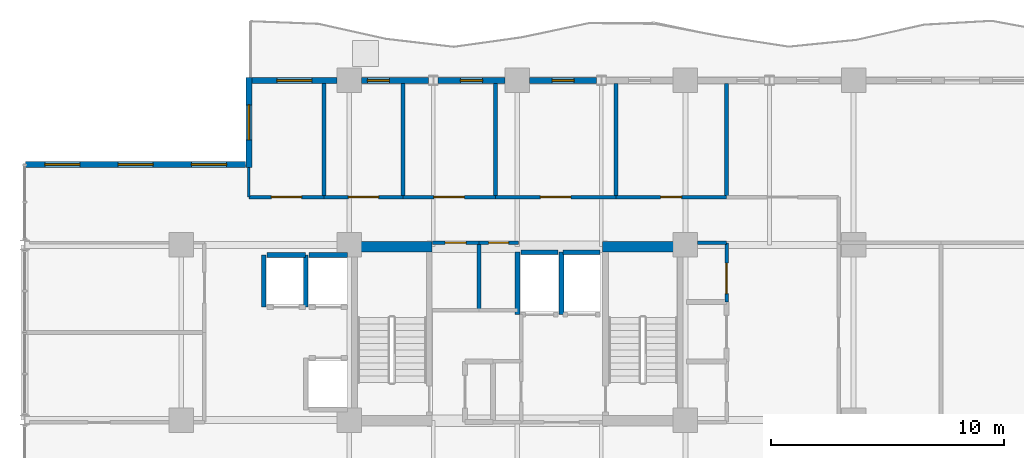
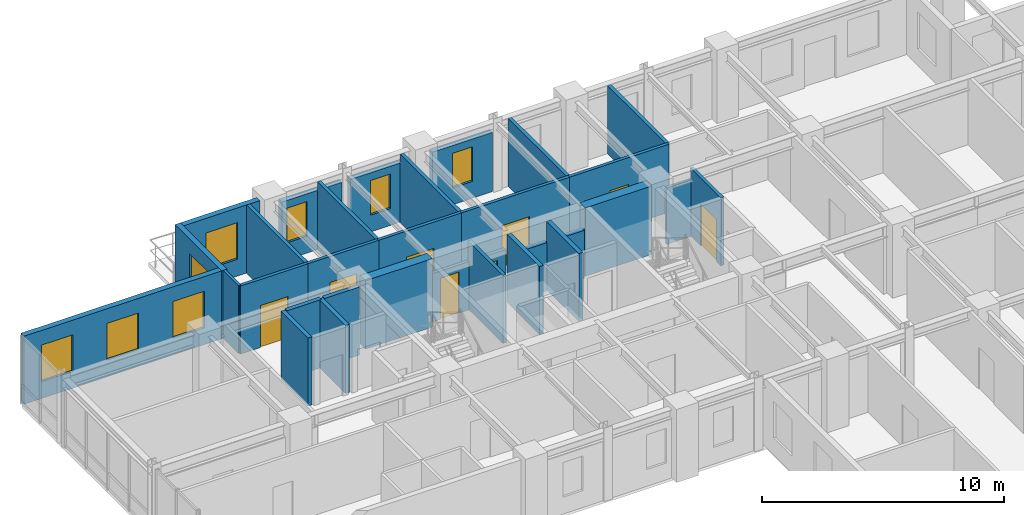
# One storey, part 13 of 18: 32 walls, 8 doors, 8 windows, 16 openings.
"""IFC4 building model written with IfcOpenShell, lengths in metres."""

from ifc_helpers import new_model, si_unit, direction, frame, frame_2d, origin, place, context, subcontext, project, spatial, rectangle, extrude, material, layer, layer_set, type_object, element, fill, save


model = new_model("IFC4")

# Units and contexts
model_context = context("Model", 3, precision=1e-05, world=origin(), true_north=direction((0.0, 1.0)))
body_context = subcontext(model_context, "Body", "Model", "MODEL_VIEW")
ifc_project = project(units=[si_unit("LENGTHUNIT", "METRE"), si_unit("AREAUNIT", "SQUARE_METRE"), si_unit("VOLUMEUNIT", "CUBIC_METRE"), si_unit("PLANEANGLEUNIT", "RADIAN"), si_unit("MASSUNIT", "GRAM", prefix="KILO")], contexts=[model_context])

# Site, building, storey
site_placement = place(None, origin())
site = spatial("IfcSite", under=ifc_project, at=site_placement, CompositionType="ELEMENT")
building_placement = place(site_placement, origin())
building = spatial("IfcBuilding", under=site, at=building_placement, Name="Kaliganga Portal Commons", CompositionType="ELEMENT")
storey_placement = place(building_placement, frame((0.0, 0.0, 169.800048828125)))
storey = spatial("IfcBuildingStorey", under=building, at=storey_placement, Name="L43", CompositionType="ELEMENT", Elevation=169.800048828125)

# Walls
ifc_material_1 = material(Name="Concrete C60/75", Category="concrete")
ifc_layer_1 = layer(ifc_material_1, 0.449951171875)
ifc_layer_set_1 = layer_set([ifc_layer_1], Name="Concrete C60/75")
wall_type_1 = type_object("IfcWallType", Name="WL-CORE-450", PredefinedType="SHEAR", material=ifc_layer_set_1)
for number, where, z_axis, x_axis, name in (
    (1, (14.75, 36.074951171875, 0.0), (0.0, 0.0, 1.0), (1.0, 0.0, 0.0), "Core A N-West Shear Wall L43"),
    (2, (25.25, 36.074951171875, 0.0), (0.0, 0.0, 1.0), (1.0, 0.0, 0.0), "Core A N-East Shear Wall L43"),
):
    element("IfcWall", number, at=place(storey_placement, frame(where, z_axis=z_axis, x_axis=x_axis)), inside=storey, type_object=wall_type_1, Name=name, PredefinedType="SHEAR", context=body_context, shape_type="SweptSolid", body=[
        extrude(rectangle(XDim=3.199951171875, YDim=0.449951171875, at=frame_2d((1.60009765625, 0.0))), origin(), (0.0, 0.0, 1.0), 3.4599609375),
    ])

# Wall, opening, window
ifc_material_2 = material(Name="Insulated Aluminium-Clad Spandrel Assembly", Category="aluminium")
ifc_layer_2 = layer(ifc_material_2, 0.260009765625)
ifc_layer_set_2 = layer_set([ifc_layer_2], Name="Insulated Aluminium-Clad Spandrel Assembly")
wall_type_2 = type_object("IfcWallType", Name="WL-EXT-SPAND-260", PredefinedType="STANDARD", material=ifc_layer_set_2)
wall_1_placement = place(storey_placement, frame((22.1259765625, 43.199951171875, 0.0), z_axis=(0.0, 0.0, 1.0), x_axis=(1.0, 0.0, 0.0)))
wall_1 = element("IfcWall", 3, at=wall_1_placement, inside=storey, type_object=wall_type_2, Name="Exterior Envelope Wall L43 P1-E06-S5", PredefinedType="STANDARD", context=body_context, shape_type="SweptSolid", body=[
    extrude(rectangle(XDim=2.87109375, YDim=0.260009765625, at=frame_2d((1.435546875, 0.0))), origin(), (0.0, 0.0, 1.0), 2.989990234375),
])
opening_1_placement = place(wall_1_placement, frame((0.96044921875, 0.0, 0.85009765625)))
opening_1 = element("IfcOpeningElement", 4, at=opening_1_placement, cuts=wall_1, Name="Opening W-04", PredefinedType="OPENING", context=body_context, shape_type="SweptSolid", body=[
    extrude(rectangle(XDim=0.949951171875, YDim=1.75, at=frame_2d((0.47509765625, 0.875))), frame((0.0, 0.14013671875, 0.0), z_axis=(0.0, -1.0, 0.0), x_axis=(1.0, 0.0, 0.0)), (0.0, 0.0, 1.0), 0.280029296875),
])
ifc_material_3 = material(Name="Thermally Broken Aluminium and Low-E Double Glazing", Category="aluminium")
window_type_1 = type_object("IfcWindowType", Name="WIN-NARROW-950", PartitioningType="SINGLE_PANEL", PredefinedType="WINDOW", material=ifc_material_3)
window_1_placement = place(opening_1_placement, origin())
window_1 = element("IfcWindow", 5, at=window_1_placement, inside=storey, type_object=window_type_1, Name="Facade Window L43-P1E06S5-00", OverallHeight=1.75, OverallWidth=0.949951171875, PartitioningType="SINGLE_PANEL", PredefinedType="WINDOW", context=body_context, shape_type="SweptSolid", body=[
    extrude(rectangle(XDim=0.949951171875, YDim=1.75, at=frame_2d((0.47509765625, 0.875))), frame((0.0, 0.030029296875, 0.0), z_axis=(0.0, -1.0, 0.0), x_axis=(1.0, 0.0, 0.0)), (0.0, 0.0, 1.0), 0.06005859375),
])
fill(opening_1, window_1)

wall_2_placement = place(storey_placement, frame((18.202880859375, 43.199951171875, 0.0), z_axis=(0.0, 0.0, 1.0), x_axis=(1.0, 0.0, 0.0)))
wall_2 = element("IfcWall", 6, at=wall_2_placement, inside=storey, type_object=wall_type_2, Name="Exterior Envelope Wall L43 P1-E06-S6", PredefinedType="STANDARD", context=body_context, shape_type="SweptSolid", body=[
    extrude(rectangle(XDim=2.87109375, YDim=0.260009765625, at=frame_2d((1.435546875, 0.0))), origin(), (0.0, 0.0, 1.0), 2.989990234375),
])
opening_2_placement = place(wall_2_placement, frame((0.96044921875, 0.0, 0.85009765625)))
opening_2 = element("IfcOpeningElement", 7, at=opening_2_placement, cuts=wall_2, Name="Opening W-04", PredefinedType="OPENING", context=body_context, shape_type="SweptSolid", body=[
    extrude(rectangle(XDim=0.949951171875, YDim=1.75, at=frame_2d((0.47509765625, 0.875))), frame((0.0, 0.14013671875, 0.0), z_axis=(0.0, -1.0, 0.0), x_axis=(1.0, 0.0, 0.0)), (0.0, 0.0, 1.0), 0.280029296875),
])
window_2_placement = place(opening_2_placement, origin())
window_2 = element("IfcWindow", 8, at=window_2_placement, inside=storey, type_object=window_type_1, Name="Facade Window L43-P1E06S6-00", OverallHeight=1.75, OverallWidth=0.949951171875, PartitioningType="SINGLE_PANEL", PredefinedType="WINDOW", context=body_context, shape_type="SweptSolid", body=[
    extrude(rectangle(XDim=0.949951171875, YDim=1.75, at=frame_2d((0.47509765625, 0.875))), frame((0.0, 0.030029296875, 0.0), z_axis=(0.0, -1.0, 0.0), x_axis=(1.0, 0.0, 0.0)), (0.0, 0.0, 1.0), 0.06005859375),
])
fill(opening_2, window_2)

wall_3_placement = place(storey_placement, frame((14.926025390625, 43.199951171875, 0.0), z_axis=(0.0, 0.0, 1.0), x_axis=(1.0, 0.0, 0.0)))
wall_3 = element("IfcWall", 9, at=wall_3_placement, inside=storey, type_object=wall_type_2, Name="Exterior Envelope Wall L43 P1-E06-S7", PredefinedType="STANDARD", context=body_context, shape_type="SweptSolid", body=[
    extrude(rectangle(XDim=2.87109375, YDim=0.260009765625, at=frame_2d((1.435546875, 0.0))), origin(), (0.0, 0.0, 1.0), 2.989990234375),
])
opening_3_placement = place(wall_3_placement, frame((0.24853515625, 0.0, 0.85009765625)))
opening_3 = element("IfcOpeningElement", 10, at=opening_3_placement, cuts=wall_3, Name="Opening W-04", PredefinedType="OPENING", context=body_context, shape_type="SweptSolid", body=[
    extrude(rectangle(XDim=0.949951171875, YDim=1.75, at=frame_2d((0.47509765625, 0.875))), frame((0.0, 0.14013671875, 0.0), z_axis=(0.0, -1.0, 0.0), x_axis=(1.0, 0.0, 0.0)), (0.0, 0.0, 1.0), 0.280029296875),
])
window_3_placement = place(opening_3_placement, origin())
window_3 = element("IfcWindow", 11, at=window_3_placement, inside=storey, type_object=window_type_1, Name="Facade Window L43-P1E06S7-N1", OverallHeight=1.75, OverallWidth=0.949951171875, PartitioningType="SINGLE_PANEL", PredefinedType="WINDOW", context=body_context, shape_type="SweptSolid", body=[
    extrude(rectangle(XDim=0.949951171875, YDim=1.75, at=frame_2d((0.47509765625, 0.875))), frame((0.0, 0.030029296875, 0.0), z_axis=(0.0, -1.0, 0.0), x_axis=(1.0, 0.0, 0.0)), (0.0, 0.0, 1.0), 0.06005859375),
])
fill(opening_3, window_3)

wall_4_placement = place(storey_placement, frame((10.235107421875, 43.199951171875, 0.0), z_axis=(0.0, 0.0, 1.0), x_axis=(1.0, 0.0, 0.0)))
wall_4 = element("IfcWall", 12, at=wall_4_placement, inside=storey, type_object=wall_type_2, Name="Exterior Envelope Wall L43 P1-E06-S8", PredefinedType="STANDARD", context=body_context, shape_type="SweptSolid", body=[
    extrude(rectangle(XDim=3.638916015625, YDim=0.260009765625, at=frame_2d((1.8193359375, 0.0))), origin(), (0.0, 0.0, 1.0), 3.43994140625),
])
opening_4_placement = place(wall_4_placement, frame((1.069580078125, 0.0, 0.85009765625)))
opening_4 = element("IfcOpeningElement", 13, at=opening_4_placement, cuts=wall_4, Name="Opening W-02", PredefinedType="OPENING", context=body_context, shape_type="SweptSolid", body=[
    extrude(rectangle(XDim=1.5, YDim=1.85009765625, at=frame_2d((0.75, 0.925048828125))), frame((0.0, 0.14013671875, 0.0), z_axis=(0.0, -1.0, 0.0), x_axis=(1.0, 0.0, 0.0)), (0.0, 0.0, 1.0), 0.280029296875),
])
window_type_2 = type_object("IfcWindowType", Name="WIN-STD-1500", PartitioningType="DOUBLE_PANEL_VERTICAL", PredefinedType="WINDOW", material=ifc_material_3)
window_4_placement = place(opening_4_placement, origin())
window_4 = element("IfcWindow", 14, at=window_4_placement, inside=storey, type_object=window_type_2, Name="Facade Window L43-P1E06S8-00", OverallHeight=1.85009765625, OverallWidth=1.5, PartitioningType="SINGLE_PANEL", PredefinedType="WINDOW", context=body_context, shape_type="SweptSolid", body=[
    extrude(rectangle(XDim=1.5, YDim=1.85009765625, at=frame_2d((0.75, 0.925048828125))), frame((0.0, 0.030029296875, 0.0), z_axis=(0.0, -1.0, 0.0), x_axis=(1.0, 0.0, 0.0)), (0.0, 0.0, 1.0), 0.06005859375),
])
fill(opening_4, window_4)

wall_5_placement = place(storey_placement, frame((10.10009765625, 39.469970703125, 0.0), z_axis=(0.0, 0.0, 1.0), x_axis=(0.0, 1.0, 0.0)))
wall_5 = element("IfcWall", 15, at=wall_5_placement, inside=storey, type_object=wall_type_2, Name="Exterior Envelope Wall L43 P1-E07-S1", PredefinedType="STANDARD", context=body_context, shape_type="SweptSolid", body=[
    extrude(rectangle(XDim=3.860107421875, YDim=0.260009765625, at=frame_2d((1.93017578125, 0.0))), origin(), (0.0, 0.0, 1.0), 3.43994140625),
])
opening_5_placement = place(wall_5_placement, frame((1.179931640625, 0.0, 0.85009765625)))
opening_5 = element("IfcOpeningElement", 16, at=opening_5_placement, cuts=wall_5, Name="Opening W-02", PredefinedType="OPENING", context=body_context, shape_type="SweptSolid", body=[
    extrude(rectangle(XDim=1.5, YDim=1.85009765625, at=frame_2d((0.75, 0.925048828125))), frame((0.0, 0.14013671875, 0.0), z_axis=(0.0, -1.0, 0.0), x_axis=(1.0, 0.0, 0.0)), (0.0, 0.0, 1.0), 0.280029296875),
])
window_5_placement = place(opening_5_placement, origin())
window_5 = element("IfcWindow", 17, at=window_5_placement, inside=storey, type_object=window_type_2, Name="Facade Window L43-P1E07S1-00", OverallHeight=1.85009765625, OverallWidth=1.5, PartitioningType="SINGLE_PANEL", PredefinedType="WINDOW", context=body_context, shape_type="SweptSolid", body=[
    extrude(rectangle(XDim=1.5, YDim=1.85009765625, at=frame_2d((0.75, 0.925048828125))), frame((0.0, 0.030029296875, 0.0), z_axis=(0.0, -1.0, 0.0), x_axis=(1.0, 0.0, 0.0)), (0.0, 0.0, 1.0), 0.06005859375),
])
fill(opening_5, window_5)

# Wall, openings, windows
wall_6_placement = place(storey_placement, frame((0.537109375, 39.60009765625, 0.0), z_axis=(0.0, 0.0, 1.0), x_axis=(1.0, 0.0, 0.0)))
wall_6 = element("IfcWall", 18, at=wall_6_placement, inside=storey, type_object=wall_type_2, Name="Exterior Envelope Wall L43 P1-E08-S1", PredefinedType="STANDARD", context=body_context, shape_type="SweptSolid", body=[
    extrude(rectangle(XDim=9.427978515625, YDim=0.260009765625, at=frame_2d((4.7138671875, 0.0))), origin(), (0.0, 0.0, 1.0), 3.43994140625),
])
opening_6_placement = place(wall_6_placement, frame((0.8212890625, 0.0, 0.85009765625)))
opening_6 = element("IfcOpeningElement", 19, at=opening_6_placement, cuts=wall_6, Name="Opening W-02", PredefinedType="OPENING", context=body_context, shape_type="SweptSolid", body=[
    extrude(rectangle(XDim=1.5, YDim=1.85009765625, at=frame_2d((0.75, 0.925048828125))), frame((0.0, 0.14013671875, 0.0), z_axis=(0.0, -1.0, 0.0), x_axis=(1.0, 0.0, 0.0)), (0.0, 0.0, 1.0), 0.280029296875),
])
opening_7_placement = place(wall_6_placement, frame((3.964111328125, 0.0, 0.85009765625)))
opening_7 = element("IfcOpeningElement", 20, at=opening_7_placement, cuts=wall_6, Name="Opening W-02", PredefinedType="OPENING", context=body_context, shape_type="SweptSolid", body=[
    extrude(rectangle(XDim=1.5, YDim=1.85009765625, at=frame_2d((0.75, 0.925048828125))), frame((0.0, 0.14013671875, 0.0), z_axis=(0.0, -1.0, 0.0), x_axis=(1.0, 0.0, 0.0)), (0.0, 0.0, 1.0), 0.280029296875),
])
opening_8_placement = place(wall_6_placement, frame((7.106689453125, 0.0, 0.85009765625)))
opening_8 = element("IfcOpeningElement", 21, at=opening_8_placement, cuts=wall_6, Name="Opening W-02", PredefinedType="OPENING", context=body_context, shape_type="SweptSolid", body=[
    extrude(rectangle(XDim=1.5, YDim=1.85009765625, at=frame_2d((0.75, 0.925048828125))), frame((0.0, 0.14013671875, 0.0), z_axis=(0.0, -1.0, 0.0), x_axis=(1.0, 0.0, 0.0)), (0.0, 0.0, 1.0), 0.280029296875),
])
window_6_placement = place(opening_6_placement, origin())
window_6 = element("IfcWindow", 22, at=window_6_placement, inside=storey, type_object=window_type_2, Name="Facade Window L43-P1E08S1-00", OverallHeight=1.85009765625, OverallWidth=1.5, PartitioningType="SINGLE_PANEL", PredefinedType="WINDOW", context=body_context, shape_type="SweptSolid", body=[
    extrude(rectangle(XDim=1.5, YDim=1.85009765625, at=frame_2d((0.75, 0.925048828125))), frame((0.0, 0.030029296875, 0.0), z_axis=(0.0, -1.0, 0.0), x_axis=(1.0, 0.0, 0.0)), (0.0, 0.0, 1.0), 0.06005859375),
])
fill(opening_6, window_6)
window_7_placement = place(opening_7_placement, origin())
window_7 = element("IfcWindow", 23, at=window_7_placement, inside=storey, type_object=window_type_2, Name="Facade Window L43-P1E08S1-01", OverallHeight=1.85009765625, OverallWidth=1.5, PartitioningType="SINGLE_PANEL", PredefinedType="WINDOW", context=body_context, shape_type="SweptSolid", body=[
    extrude(rectangle(XDim=1.5, YDim=1.85009765625, at=frame_2d((0.75, 0.925048828125))), frame((0.0, 0.030029296875, 0.0), z_axis=(0.0, -1.0, 0.0), x_axis=(1.0, 0.0, 0.0)), (0.0, 0.0, 1.0), 0.06005859375),
])
fill(opening_7, window_7)
window_8_placement = place(opening_8_placement, origin())
window_8 = element("IfcWindow", 24, at=window_8_placement, inside=storey, type_object=window_type_2, Name="Facade Window L43-P1E08S1-02", OverallHeight=1.85009765625, OverallWidth=1.5, PartitioningType="SINGLE_PANEL", PredefinedType="WINDOW", context=body_context, shape_type="SweptSolid", body=[
    extrude(rectangle(XDim=1.5, YDim=1.85009765625, at=frame_2d((0.75, 0.925048828125))), frame((0.0, 0.030029296875, 0.0), z_axis=(0.0, -1.0, 0.0), x_axis=(1.0, 0.0, 0.0)), (0.0, 0.0, 1.0), 0.06005859375),
])
fill(opening_8, window_8)

# Wall, opening, door
ifc_material_4 = material(Name="Fire-Rated Gypsum Board on Steel Stud", Category="steel")
ifc_layer_3 = layer(ifc_material_4, 0.14990234375)
ifc_layer_set_3 = layer_set([ifc_layer_3], Name="Fire-Rated Gypsum Board on Steel Stud")
wall_type_3 = type_object("IfcWallType", Name="WL-PART-CORR-150", PredefinedType="PARTITIONING", material=ifc_layer_set_3)
wall_7_placement = place(storey_placement, frame((20.659912109375, 38.199951171875, 0.0), z_axis=(0.0, 0.0, 1.0), x_axis=(1.0, 0.0, 0.0)))
wall_7 = element("IfcWall", 25, at=wall_7_placement, inside=storey, type_object=wall_type_3, Name="Interior Partition L43-019", PredefinedType="PARTITIONING", context=body_context, shape_type="SweptSolid", body=[
    extrude(rectangle(XDim=5.16015625, YDim=0.14990234375, at=frame_2d((2.580078125, 0.0))), origin(), (0.0, 0.0, 1.0), 3.43994140625),
])
opening_9_placement = place(wall_7_placement, frame((1.929931640625, 0.0, 0.0)))
opening_9 = element("IfcOpeningElement", 26, at=opening_9_placement, cuts=wall_7, Name="Opening RD-03", PredefinedType="OPENING", context=body_context, shape_type="SweptSolid", body=[
    extrude(rectangle(XDim=1.300048828125, YDim=2.1201171875, at=frame_2d((0.64990234375, 1.06005859375))), frame((0.0, 0.0849609375, 0.0), z_axis=(0.0, -1.0, 0.0), x_axis=(1.0, 0.0, 0.0)), (0.0, 0.0, 1.0), 0.169921875),
])
ifc_material_5 = material(Name="Glazed Timber Seminar Vision Door", Category="wood")
door_type_1 = type_object("IfcDoorType", Name="DR-STUDY-1300", OperationType="DOUBLE_DOOR_SINGLE_SWING", PredefinedType="DOOR", material=ifc_material_5)
door_1_placement = place(opening_9_placement, origin())
door_1 = element("IfcDoor", 27, at=door_1_placement, inside=storey, type_object=door_type_1, Name="Interior Door L43-AN04", OperationType="DOUBLE_DOOR_SINGLE_SWING", OverallHeight=2.1201171875, OverallWidth=1.300048828125, PredefinedType="DOOR", context=body_context, shape_type="SweptSolid", body=[
    extrude(rectangle(XDim=1.300048828125, YDim=2.1201171875, at=frame_2d((0.64990234375, 1.06005859375))), frame((0.0, 0.02490234375, 0.0), z_axis=(0.0, -1.0, 0.0), x_axis=(1.0, 0.0, 0.0)), (0.0, 0.0, 1.0), 0.050048828125),
])
fill(opening_9, door_1)

wall_8_placement = place(storey_placement, frame((25.820068359375, 38.199951171875, 0.0), z_axis=(0.0, 0.0, 1.0), x_axis=(1.0, 0.0, 0.0)))
wall_8 = element("IfcWall", 28, at=wall_8_placement, inside=storey, type_object=wall_type_3, Name="Interior Partition L43-023", PredefinedType="PARTITIONING", context=body_context, shape_type="SweptSolid", body=[
    extrude(rectangle(XDim=4.739990234375, YDim=0.14990234375, at=frame_2d((2.3701171875, 0.0))), origin(), (0.0, 0.0, 1.0), 3.43994140625),
])
opening_10_placement = place(wall_8_placement, frame((1.919921875, 0.0, 0.0)))
opening_10 = element("IfcOpeningElement", 29, at=opening_10_placement, cuts=wall_8, Name="Opening RD-01", PredefinedType="OPENING", context=body_context, shape_type="SweptSolid", body=[
    extrude(rectangle(XDim=0.89990234375, YDim=2.080078125, at=frame_2d((0.449951171875, 1.0400390625))), frame((0.0, 0.0849609375, 0.0), z_axis=(0.0, -1.0, 0.0), x_axis=(1.0, 0.0, 0.0)), (0.0, 0.0, 1.0), 0.169921875),
])
ifc_material_6 = material(Name="Engineered Timber Flush Door", Category="wood")
door_type_2 = type_object("IfcDoorType", Name="DR-ROOM-900", OperationType="NOTDEFINED", PredefinedType="DOOR", material=ifc_material_6)
door_2_placement = place(opening_10_placement, origin())
door_2 = element("IfcDoor", 30, at=door_2_placement, inside=storey, type_object=door_type_2, Name="Interior Door L43-AN05", OperationType="SINGLE_SWING_RIGHT", OverallHeight=2.080078125, OverallWidth=0.89990234375, PredefinedType="DOOR", context=body_context, shape_type="SweptSolid", body=[
    extrude(rectangle(XDim=0.89990234375, YDim=2.080078125, at=frame_2d((0.449951171875, 1.0400390625))), frame((0.0, 0.02490234375, 0.0), z_axis=(0.0, -1.0, 0.0), x_axis=(1.0, 0.0, 0.0)), (0.0, 0.0, 1.0), 0.050048828125),
])
fill(opening_10, door_2)

wall_9_placement = place(storey_placement, frame((16.699951171875, 38.199951171875, 0.0), z_axis=(0.0, 0.0, 1.0), x_axis=(1.0, 0.0, 0.0)))
wall_9 = element("IfcWall", 31, at=wall_9_placement, inside=storey, type_object=wall_type_3, Name="Interior Partition L43-029", PredefinedType="PARTITIONING", context=body_context, shape_type="SweptSolid", body=[
    extrude(rectangle(XDim=3.9599609375, YDim=0.14990234375, at=frame_2d((1.97998046875, 0.0))), origin(), (0.0, 0.0, 1.0), 3.43994140625),
])
opening_11_placement = place(wall_9_placement, frame((1.330078125, 0.0, 0.0)))
opening_11 = element("IfcOpeningElement", 32, at=opening_11_placement, cuts=wall_9, Name="Opening RD-03", PredefinedType="OPENING", context=body_context, shape_type="SweptSolid", body=[
    extrude(rectangle(XDim=1.300048828125, YDim=2.1201171875, at=frame_2d((0.64990234375, 1.06005859375))), frame((0.0, 0.0849609375, 0.0), z_axis=(0.0, -1.0, 0.0), x_axis=(1.0, 0.0, 0.0)), (0.0, 0.0, 1.0), 0.169921875),
])
door_3_placement = place(opening_11_placement, origin())
door_3 = element("IfcDoor", 33, at=door_3_placement, inside=storey, type_object=door_type_1, Name="Interior Door L43-AN03", OperationType="DOUBLE_DOOR_SINGLE_SWING", OverallHeight=2.1201171875, OverallWidth=1.300048828125, PredefinedType="DOOR", context=body_context, shape_type="SweptSolid", body=[
    extrude(rectangle(XDim=1.300048828125, YDim=2.1201171875, at=frame_2d((0.64990234375, 1.06005859375))), frame((0.0, 0.02490234375, 0.0), z_axis=(0.0, -1.0, 0.0), x_axis=(1.0, 0.0, 0.0)), (0.0, 0.0, 1.0), 0.050048828125),
])
fill(opening_11, door_3)

wall_10_placement = place(storey_placement, frame((13.320068359375, 38.199951171875, 0.0), z_axis=(0.0, 0.0, 1.0), x_axis=(1.0, 0.0, 0.0)))
wall_10 = element("IfcWall", 34, at=wall_10_placement, inside=storey, type_object=wall_type_3, Name="Interior Partition L43-035", PredefinedType="PARTITIONING", context=body_context, shape_type="SweptSolid", body=[
    extrude(rectangle(XDim=3.3798828125, YDim=0.14990234375, at=frame_2d((1.68994140625, 0.0))), origin(), (0.0, 0.0, 1.0), 3.43994140625),
])
opening_12_placement = place(wall_10_placement, frame((1.0400390625, 0.0, 0.0)))
opening_12 = element("IfcOpeningElement", 35, at=opening_12_placement, cuts=wall_10, Name="Opening RD-03", PredefinedType="OPENING", context=body_context, shape_type="SweptSolid", body=[
    extrude(rectangle(XDim=1.300048828125, YDim=2.1201171875, at=frame_2d((0.64990234375, 1.06005859375))), frame((0.0, 0.0849609375, 0.0), z_axis=(0.0, -1.0, 0.0), x_axis=(1.0, 0.0, 0.0)), (0.0, 0.0, 1.0), 0.169921875),
])
door_4_placement = place(opening_12_placement, origin())
door_4 = element("IfcDoor", 36, at=door_4_placement, inside=storey, type_object=door_type_1, Name="Interior Door L43-AN02", OperationType="DOUBLE_DOOR_SINGLE_SWING", OverallHeight=2.1201171875, OverallWidth=1.300048828125, PredefinedType="DOOR", context=body_context, shape_type="SweptSolid", body=[
    extrude(rectangle(XDim=1.300048828125, YDim=2.1201171875, at=frame_2d((0.64990234375, 1.06005859375))), frame((0.0, 0.02490234375, 0.0), z_axis=(0.0, -1.0, 0.0), x_axis=(1.0, 0.0, 0.0)), (0.0, 0.0, 1.0), 0.050048828125),
])
fill(opening_12, door_4)

wall_11_placement = place(storey_placement, frame((10.10009765625, 38.199951171875, 0.0), z_axis=(0.0, 0.0, 1.0), x_axis=(1.0, 0.0, 0.0)))
wall_11 = element("IfcWall", 37, at=wall_11_placement, inside=storey, type_object=wall_type_3, Name="Interior Partition L43-036", PredefinedType="PARTITIONING", context=body_context, shape_type="SweptSolid", body=[
    extrude(rectangle(XDim=3.219970703125, YDim=0.14990234375, at=frame_2d((1.60986328125, 0.0))), origin(), (0.0, 0.0, 1.0), 3.43994140625),
])
opening_13_placement = place(wall_11_placement, frame((0.9599609375, 0.0, 0.0)))
opening_13 = element("IfcOpeningElement", 38, at=opening_13_placement, cuts=wall_11, Name="Opening RD-03", PredefinedType="OPENING", context=body_context, shape_type="SweptSolid", body=[
    extrude(rectangle(XDim=1.300048828125, YDim=2.1201171875, at=frame_2d((0.64990234375, 1.06005859375))), frame((0.0, 0.0849609375, 0.0), z_axis=(0.0, -1.0, 0.0), x_axis=(1.0, 0.0, 0.0)), (0.0, 0.0, 1.0), 0.169921875),
])
door_5_placement = place(opening_13_placement, origin())
door_5 = element("IfcDoor", 39, at=door_5_placement, inside=storey, type_object=door_type_1, Name="Interior Door L43-AN01", OperationType="DOUBLE_DOOR_SINGLE_SWING", OverallHeight=2.1201171875, OverallWidth=1.300048828125, PredefinedType="DOOR", context=body_context, shape_type="SweptSolid", body=[
    extrude(rectangle(XDim=1.300048828125, YDim=2.1201171875, at=frame_2d((0.64990234375, 1.06005859375))), frame((0.0, 0.02490234375, 0.0), z_axis=(0.0, -1.0, 0.0), x_axis=(1.0, 0.0, 0.0)), (0.0, 0.0, 1.0), 0.050048828125),
])
fill(opening_13, door_5)

wall_12_placement = place(storey_placement, frame((30.56005859375, 33.699951171875, 0.0), z_axis=(0.0, 0.0, 1.0), x_axis=(0.0, 1.0, 0.0)))
wall_12 = element("IfcWall", 40, at=wall_12_placement, inside=storey, type_object=wall_type_3, Name="Interior Partition L43-046", PredefinedType="PARTITIONING", context=body_context, shape_type="SweptSolid", body=[
    extrude(rectangle(XDim=2.5400390625, YDim=0.14990234375, at=frame_2d((1.27001953125, 0.0))), origin(), (0.0, 0.0, 1.0), 3.43994140625),
])
opening_14_placement = place(wall_12_placement, frame((0.365966796875, 0.0, 0.0)))
opening_14 = element("IfcOpeningElement", 41, at=opening_14_placement, cuts=wall_12, Name="Opening RD-03", PredefinedType="OPENING", context=body_context, shape_type="SweptSolid", body=[
    extrude(rectangle(XDim=1.300048828125, YDim=2.1201171875, at=frame_2d((0.64990234375, 1.06005859375))), frame((0.0, 0.0849609375, 0.0), z_axis=(0.0, -1.0, 0.0), x_axis=(1.0, 0.0, 0.0)), (0.0, 0.0, 1.0), 0.169921875),
])
door_6_placement = place(opening_14_placement, origin())
door_6 = element("IfcDoor", 42, at=door_6_placement, inside=storey, type_object=door_type_1, Name="Interior Door L43-CSRV_A2", OperationType="DOUBLE_DOOR_SINGLE_SWING", OverallHeight=2.1201171875, OverallWidth=1.300048828125, PredefinedType="DOOR", context=body_context, shape_type="SweptSolid", body=[
    extrude(rectangle(XDim=1.300048828125, YDim=2.1201171875, at=frame_2d((0.64990234375, 1.06005859375))), frame((0.0, 0.02490234375, 0.0), z_axis=(0.0, -1.0, 0.0), x_axis=(1.0, 0.0, 0.0)), (0.0, 0.0, 1.0), 0.050048828125),
])
fill(opening_14, door_6)

wall_13_placement = place(storey_placement, frame((17.9599609375, 36.239990234375, 0.0), z_axis=(0.0, 0.0, 1.0), x_axis=(1.0, 0.0, 0.0)))
wall_13 = element("IfcWall", 43, at=wall_13_placement, inside=storey, type_object=wall_type_3, Name="Interior Partition L43-048", PredefinedType="PARTITIONING", context=body_context, shape_type="SweptSolid", body=[
    extrude(rectangle(XDim=2.0, YDim=0.14990234375, at=frame_2d((1.0, 0.0))), origin(), (0.0, 0.0, 1.0), 2.43994140625),
])
opening_15_placement = place(wall_13_placement, frame((0.550048828125, 0.0, 0.0)))
opening_15 = element("IfcOpeningElement", 44, at=opening_15_placement, cuts=wall_13, Name="Opening RD-01", PredefinedType="OPENING", context=body_context, shape_type="SweptSolid", body=[
    extrude(rectangle(XDim=0.89990234375, YDim=2.080078125, at=frame_2d((0.449951171875, 1.0400390625))), frame((0.0, 0.0849609375, 0.0), z_axis=(0.0, -1.0, 0.0), x_axis=(1.0, 0.0, 0.0)), (0.0, 0.0, 1.0), 0.169921875),
])
door_7_placement = place(opening_15_placement, origin())
door_7 = element("IfcDoor", 45, at=door_7_placement, inside=storey, type_object=door_type_2, Name="Interior Door L43-CREC_A1", OperationType="SINGLE_SWING_RIGHT", OverallHeight=2.080078125, OverallWidth=0.89990234375, PredefinedType="DOOR", context=body_context, shape_type="SweptSolid", body=[
    extrude(rectangle(XDim=0.89990234375, YDim=2.080078125, at=frame_2d((0.449951171875, 1.0400390625))), frame((0.0, 0.02490234375, 0.0), z_axis=(0.0, -1.0, 0.0), x_axis=(1.0, 0.0, 0.0)), (0.0, 0.0, 1.0), 0.050048828125),
])
fill(opening_15, door_7)

# Wall
wall_14_placement = place(storey_placement, frame((29.324951171875, 36.239990234375, 0.0), z_axis=(0.0, 0.0, 1.0), x_axis=(1.0, 0.0, 0.0)))
element("IfcWall", 46, at=wall_14_placement, inside=storey, type_object=wall_type_3, Name="Interior Partition L43-051", PredefinedType="PARTITIONING", context=body_context, shape_type="SweptSolid", body=[
    extrude(rectangle(XDim=1.235107421875, YDim=0.14990234375, at=frame_2d((0.61767578125, 0.0))), origin(), (0.0, 0.0, 1.0), 2.83984375),
])

# Wall, opening, door
wall_15_placement = place(storey_placement, frame((19.9599609375, 36.239990234375, 0.0), z_axis=(0.0, 0.0, 1.0), x_axis=(1.0, 0.0, 0.0)))
wall_15 = element("IfcWall", 47, at=wall_15_placement, inside=storey, type_object=wall_type_3, Name="Interior Partition L43-053", PredefinedType="PARTITIONING", context=body_context, shape_type="SweptSolid", body=[
    extrude(rectangle(XDim=1.679931640625, YDim=0.14990234375, at=frame_2d((0.83984375, 0.0))), origin(), (0.0, 0.0, 1.0), 2.43994140625),
])
opening_16_placement = place(wall_15_placement, frame((0.409912109375, 0.0, 0.0)))
opening_16 = element("IfcOpeningElement", 48, at=opening_16_placement, cuts=wall_15, Name="Opening WD-02", PredefinedType="OPENING", context=body_context, shape_type="SweptSolid", body=[
    extrude(rectangle(XDim=0.860107421875, YDim=2.02001953125, at=frame_2d((0.43017578125, 1.010009765625))), frame((0.0, 0.0849609375, 0.0), z_axis=(0.0, -1.0, 0.0), x_axis=(1.0, 0.0, 0.0)), (0.0, 0.0, 1.0), 0.169921875),
])
ifc_material_7 = material(Name="Fire-Rated Utility Closet Door", Category="wood")
door_type_3 = type_object("IfcDoorType", Name="DR-STORE-800", OperationType="NOTDEFINED", PredefinedType="DOOR", material=ifc_material_7)
door_8_placement = place(opening_16_placement, origin())
door_8 = element("IfcDoor", 49, at=door_8_placement, inside=storey, type_object=door_type_3, Name="Interior Door L43-CREC_A2", OperationType="SINGLE_SWING_LEFT", OverallHeight=2.02001953125, OverallWidth=0.860107421875, PredefinedType="DOOR", context=body_context, shape_type="SweptSolid", body=[
    extrude(rectangle(XDim=0.860107421875, YDim=2.02001953125, at=frame_2d((0.43017578125, 1.010009765625))), frame((0.0, 0.02490234375, 0.0), z_axis=(0.0, -1.0, 0.0), x_axis=(1.0, 0.0, 0.0)), (0.0, 0.0, 1.0), 0.050048828125),
])
fill(opening_16, door_8)

# Walls
ifc_material_8 = material(Name="Moisture-Resistant Gypsum Partition", Category="gypsum")
ifc_layer_4 = layer(ifc_material_8, 0.114990234375)
ifc_layer_set_4 = layer_set([ifc_layer_4], Name="Moisture-Resistant Gypsum Partition")
wall_type_4 = type_object("IfcWallType", Name="WL-PART-ROOM-115", PredefinedType="PARTITIONING", material=ifc_layer_set_4)
wall_16_placement = place(storey_placement, frame((10.10009765625, 38.199951171875, 0.0), z_axis=(0.0, 0.0, 1.0), x_axis=(0.0, 1.0, 0.0)))
element("IfcWall", 50, at=wall_16_placement, inside=storey, type_object=wall_type_4, Name="Interior Partition L43-071", PredefinedType="PARTITIONING", context=body_context, shape_type="SweptSolid", body=[
    extrude(rectangle(XDim=1.26806640625, YDim=0.114990234375, at=frame_2d((0.634033203125, 0.0))), origin(), (0.0, 0.0, 1.0), 3.43994140625),
])
ifc_material_9 = material(Name="Twin-Stud Acoustic Gypsum Partition", Category="gypsum")
ifc_layer_5 = layer(ifc_material_9, 0.1650390625)
ifc_layer_set_5 = layer_set([ifc_layer_5], Name="Twin-Stud Acoustic Gypsum Partition")
wall_type_5 = type_object("IfcWallType", Name="WL-PART-UNIT-165", PredefinedType="PARTITIONING", material=ifc_layer_set_5)
for number, where, z_axis, x_axis, name in (
    (51, (13.320068359375, 38.199951171875, 0.0), (0.0, 0.0, 1.0), (0.0, 1.0, 0.0), "Interior Partition L43-072"),
    (52, (16.699951171875, 38.199951171875, 0.0), (0.0, 0.0, 1.0), (0.0, 1.0, 0.0), "Interior Partition L43-073"),
    (53, (20.659912109375, 38.199951171875, 0.0), (0.0, 0.0, 1.0), (0.0, 1.0, 0.0), "Interior Partition L43-075"),
    (54, (25.820068359375, 38.199951171875, 0.0), (0.0, 0.0, 1.0), (0.0, 1.0, 0.0), "Interior Partition L43-076"),
    (55, (30.56005859375, 38.199951171875, 0.0), (0.0, 0.0, 1.0), (0.0, 1.0, 0.0), "Interior Partition L43-078"),
):
    element("IfcWall", number, at=place(storey_placement, frame(where, z_axis=z_axis, x_axis=x_axis)), inside=storey, type_object=wall_type_5, Name=name, PredefinedType="PARTITIONING", context=body_context, shape_type="SweptSolid", body=[
        extrude(rectangle(XDim=4.8681640625, YDim=0.1650390625, at=frame_2d((2.43408203125, 0.0))), origin(), (0.0, 0.0, 1.0), 3.43994140625),
    ])
wall_17_placement = place(storey_placement, frame((19.9599609375, 33.360107421875, 0.0), z_axis=(0.0, 0.0, 1.0), x_axis=(0.0, 1.0, 0.0)))
element("IfcWall", 56, at=wall_17_placement, inside=storey, type_object=wall_type_5, Name="Interior Partition L43-086", PredefinedType="PARTITIONING", context=body_context, shape_type="SweptSolid", body=[
    extrude(rectangle(XDim=2.8798828125, YDim=0.1650390625, at=frame_2d((1.43994140625, 0.0))), origin(), (0.0, 0.0, 1.0), 3.43994140625),
])
ifc_material_10 = material(Name="Fire-Rated Shaftwall Masonry Assembly", Category="masonry")
ifc_layer_6 = layer(ifc_material_10, 0.199951171875)
ifc_layer_set_6 = layer_set([ifc_layer_6], Name="Fire-Rated Shaftwall Masonry Assembly")
wall_type_6 = type_object("IfcWallType", Name="WL-SHAFT-200", PredefinedType="PARTITIONING", material=ifc_layer_set_6)
wall_18_placement = place(storey_placement, frame((12.675048828125, 35.715087890625, 0.0), z_axis=(0.0, 0.0, 1.0), x_axis=(1.0, 0.0, 0.0)))
element("IfcWall", 57, at=wall_18_placement, inside=storey, type_object=wall_type_6, Name="Lift PL-A3 Hoistway Shaft Wall L43-N", PredefinedType="PARTITIONING", context=body_context, shape_type="SweptSolid", body=[
    extrude(rectangle(XDim=1.64990234375, YDim=0.199951171875, at=frame_2d((0.824951171875, 0.0))), origin(), (0.0, 0.0, 1.0), 3.43994140625),
])
wall_19_placement = place(storey_placement, frame((12.534912109375, 33.485107421875, 0.0), z_axis=(0.0, 0.0, 1.0), x_axis=(0.0, 1.0, 0.0)))
element("IfcWall", 58, at=wall_19_placement, inside=storey, type_object=wall_type_6, Name="Lift PL-A3 Hoistway Shaft Wall L43-W", PredefinedType="PARTITIONING", context=body_context, shape_type="SweptSolid", body=[
    extrude(rectangle(XDim=2.22998046875, YDim=0.199951171875, at=frame_2d((1.114990234375, 0.0))), origin(), (0.0, 0.0, 1.0), 3.43994140625),
])
wall_20_placement = place(storey_placement, frame((10.875, 35.715087890625, 0.0), z_axis=(0.0, 0.0, 1.0), x_axis=(1.0, 0.0, 0.0)))
element("IfcWall", 59, at=wall_20_placement, inside=storey, type_object=wall_type_6, Name="Lift PL-OBS Hoistway Shaft Wall L43-N", PredefinedType="PARTITIONING", context=body_context, shape_type="SweptSolid", body=[
    extrude(rectangle(XDim=1.64990234375, YDim=0.199951171875, at=frame_2d((0.824951171875, 0.0))), origin(), (0.0, 0.0, 1.0), 3.43994140625),
])
wall_21_placement = place(storey_placement, frame((10.735107421875, 33.485107421875, 0.0), z_axis=(0.0, 0.0, 1.0), x_axis=(0.0, 1.0, 0.0)))
element("IfcWall", 60, at=wall_21_placement, inside=storey, type_object=wall_type_6, Name="Lift PL-OBS Hoistway Shaft Wall L43-W", PredefinedType="PARTITIONING", context=body_context, shape_type="SweptSolid", body=[
    extrude(rectangle(XDim=2.22998046875, YDim=0.199951171875, at=frame_2d((1.114990234375, 0.0))), origin(), (0.0, 0.0, 1.0), 3.43994140625),
])
wall_22_placement = place(storey_placement, frame((21.75, 35.840087890625, 0.0), z_axis=(0.0, 0.0, 1.0), x_axis=(1.0, 0.0, 0.0)))
element("IfcWall", 61, at=wall_22_placement, inside=storey, type_object=wall_type_6, Name="Lift FFL-1 Hoistway Shaft Wall L43-N", PredefinedType="PARTITIONING", context=body_context, shape_type="SweptSolid", body=[
    extrude(rectangle(XDim=1.60009765625, YDim=0.199951171875, at=frame_2d((0.800048828125, 0.0))), origin(), (0.0, 0.0, 1.0), 2.43994140625),
])
for number, where, z_axis, x_axis, name in (
    (62, (21.610107421875, 33.159912109375, 0.0), (0.0, 0.0, 1.0), (0.0, 1.0, 0.0), "Lift FFL-1 Hoistway Shaft Wall L43-W"),
    (63, (23.489990234375, 33.159912109375, 0.0), (0.0, 0.0, 1.0), (0.0, 1.0, 0.0), "Lift FFL-1 Hoistway Shaft Wall L43-E"),
):
    element("IfcWall", number, at=place(storey_placement, frame(where, z_axis=z_axis, x_axis=x_axis)), inside=storey, type_object=wall_type_6, Name=name, PredefinedType="PARTITIONING", context=body_context, shape_type="SweptSolid", body=[
        extrude(rectangle(XDim=2.68017578125, YDim=0.199951171875, at=frame_2d((1.340087890625, 0.0))), origin(), (0.0, 0.0, 1.0), 3.43994140625),
    ])
wall_23_placement = place(storey_placement, frame((23.550048828125, 35.840087890625, 0.0), z_axis=(0.0, 0.0, 1.0), x_axis=(1.0, 0.0, 0.0)))
element("IfcWall", 64, at=wall_23_placement, inside=storey, type_object=wall_type_6, Name="Lift FFL-2 Hoistway Shaft Wall L43-N", PredefinedType="PARTITIONING", context=body_context, shape_type="SweptSolid", body=[
    extrude(rectangle(XDim=1.599853515625, YDim=0.199951171875, at=frame_2d((0.7998046875, 0.0))), origin(), (0.0, 0.0, 1.0), 2.43994140625),
])

save(model, "model.ifc")
